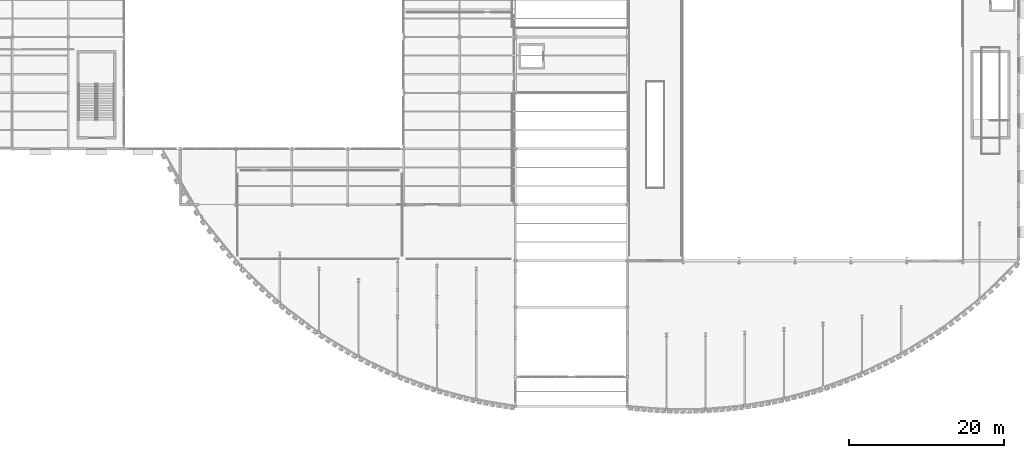
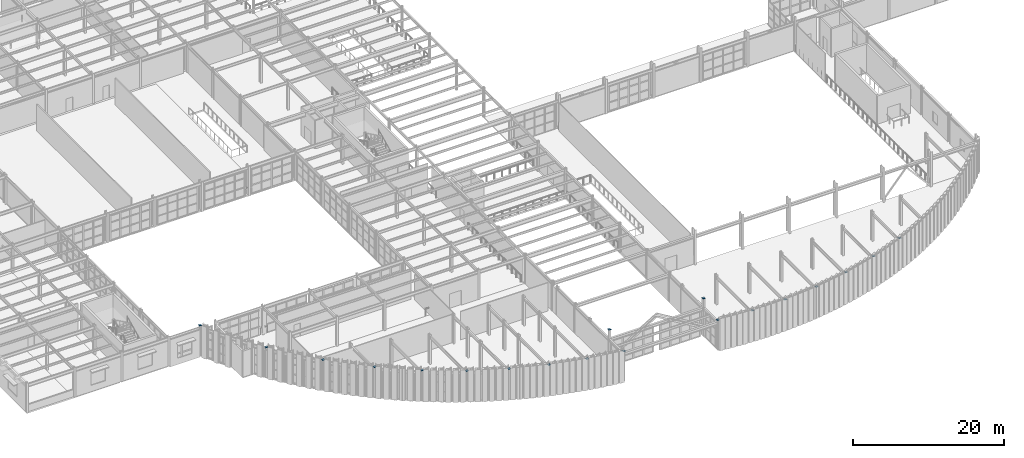
# One storey, part 98 of 126: 19 plates.
"""IFC4 building model written with IfcOpenShell, lengths in metres."""

from ifc_helpers import new_model, si_unit, direction, frame, origin, origin_2d, place, context, subcontext, project, spatial, rectangle, extrude, material, layer, layer_set, type_object, element, save


model = new_model("IFC4")

# Units and contexts
model_context = context("Model", 3, precision=1e-05, world=origin(), true_north=direction((0.0, 1.0)))
body_context = subcontext(model_context, "Body", "Model", "MODEL_VIEW")
ifc_project = project(units=[si_unit("LENGTHUNIT", "METRE"), si_unit("AREAUNIT", "SQUARE_METRE"), si_unit("VOLUMEUNIT", "CUBIC_METRE"), si_unit("PLANEANGLEUNIT", "RADIAN"), si_unit("MASSUNIT", "GRAM", prefix="KILO")], contexts=[model_context])

# Site, building, storey
site_placement = place(None, origin())
site = spatial("IfcSite", under=ifc_project, at=site_placement, CompositionType="ELEMENT")
building_placement = place(site_placement, origin())
building = spatial("IfcBuilding", under=site, at=building_placement, Name="Solvadek Multi-Sports Hall", CompositionType="ELEMENT")
storey_placement = place(building_placement, frame((0.0, 0.0, 9.60009765625)))
storey = spatial("IfcBuildingStorey", under=building, at=storey_placement, Name="L02", CompositionType="ELEMENT", Elevation=9.60009765625)

# Plates
ifc_material = material(Name="Steel E350 (350 MPa)", Category="steel")
ifc_layer = layer(ifc_material, 0.02001953125, Name="Steel E350 (350 MPa)")
ifc_layer_set = layer_set([ifc_layer], Name="Steel E350 (350 MPa)")
plate_type = type_object("IfcPlateType", Name="STR-PLT-CAP340", PredefinedType="USERDEFINED", material=ifc_layer_set)
for number, where, z_axis, x_axis, name in (
    (1, (26.45458984375, 20.39990234375, 4.7998046875), (0.0, 0.0, 1.0), (1.0, 0.0, 0.0), "Hollow Column End Cap #257"),
    (2, (31.51513671875, 11.63232421875, 4.7998046875), (0.0, 0.0, 1.0), (1.0, 0.0, 0.0), "Hollow Column End Cap #259"),
    (3, (36.57568359375, 5.37158203125, 4.7998046875), (0.0, 0.0, 1.0), (1.0, 0.0, 0.0), "Hollow Column End Cap #261"),
    (4, (41.636474609375, 0.54541015625, 4.7998046875), (0.0, 0.0, 1.0), (1.0, 0.0, 0.0), "Hollow Column End Cap #263"),
    (5, (46.697021484375, -3.2783203125, 4.7998046875), (0.0, 0.0, 1.0), (1.0, 0.0, 0.0), "Hollow Column End Cap #266"),
    (6, (51.757568359375, -6.323974609375, 4.7998046875), (0.0, 0.0, 1.0), (1.0, 0.0, 0.0), "Hollow Column End Cap #269"),
    (7, (56.818115234375, -8.72412109375, 4.7998046875), (0.0, 0.0, 1.0), (1.0, 0.0, 0.0), "Hollow Column End Cap #272"),
    (8, (61.87890625, -10.562744140625, 4.7998046875), (0.0, 0.0, 1.0), (1.0, 0.0, 0.0), "Hollow Column End Cap #277"),
    (9, (66.939453125, -11.893798828125, 4.7998046875), (0.0, 0.0, 1.0), (1.0, 0.0, 0.0), "Hollow Column End Cap #282"),
    (10, (72.0, -12.7529296875, 4.7998046875), (0.0, 0.0, 1.0), (1.0, 0.0, 0.0), "Hollow Column End Cap #287"),
    (11, (86.39990234375, -12.7529296875, 4.7998046875), (0.0, 0.0, 1.0), (1.0, 0.0, 0.0), "Hollow Column End Cap #291"),
    (12, (91.43994140625, -13.159912109375, 4.7998046875), (0.0, 0.0, 1.0), (1.0, 0.0, 0.0), "Hollow Column End Cap #294"),
    (13, (96.47998046875, -13.128662109375, 4.7998046875), (0.0, 0.0, 1.0), (1.0, 0.0, 0.0), "Hollow Column End Cap #297"),
    (14, (101.52001953125, -12.65869140625, 4.7998046875), (0.0, 0.0, 1.0), (1.0, 0.0, 0.0), "Hollow Column End Cap #300"),
    (15, (106.56005859375, -11.73876953125, 4.7998046875), (0.0, 0.0, 1.0), (1.0, 0.0, 0.0), "Hollow Column End Cap #303"),
    (16, (111.60009765625, -10.346435546875, 4.7998046875), (0.0, 0.0, 1.0), (1.0, 0.0, 0.0), "Hollow Column End Cap #306"),
    (17, (116.639892578125, -8.4453125, 4.7998046875), (0.0, 0.0, 1.0), (1.0, 0.0, 0.0), "Hollow Column End Cap #309"),
    (18, (72.0, -9.0, 6.0), (0.0, 0.0, 1.0), (1.0, 0.0, 0.0), "Hollow Column End Cap #320"),
    (19, (86.39990234375, -9.0, 6.0), (0.0, 0.0, 1.0), (1.0, 0.0, 0.0), "Hollow Column End Cap #324"),
):
    element("IfcPlate", number, at=place(storey_placement, frame(where, z_axis=z_axis, x_axis=x_axis)), inside=storey, type_object=plate_type, Name=name, ObjectType="BASE_PLATE", PredefinedType="USERDEFINED", context=body_context, shape_type="SweptSolid", body=[
        extrude(rectangle(XDim=0.340087890625, YDim=0.340087890625, at=origin_2d()), origin(), (0.0, 0.0, 1.0), 0.02001953125),
    ])

save(model, "model.ifc")
